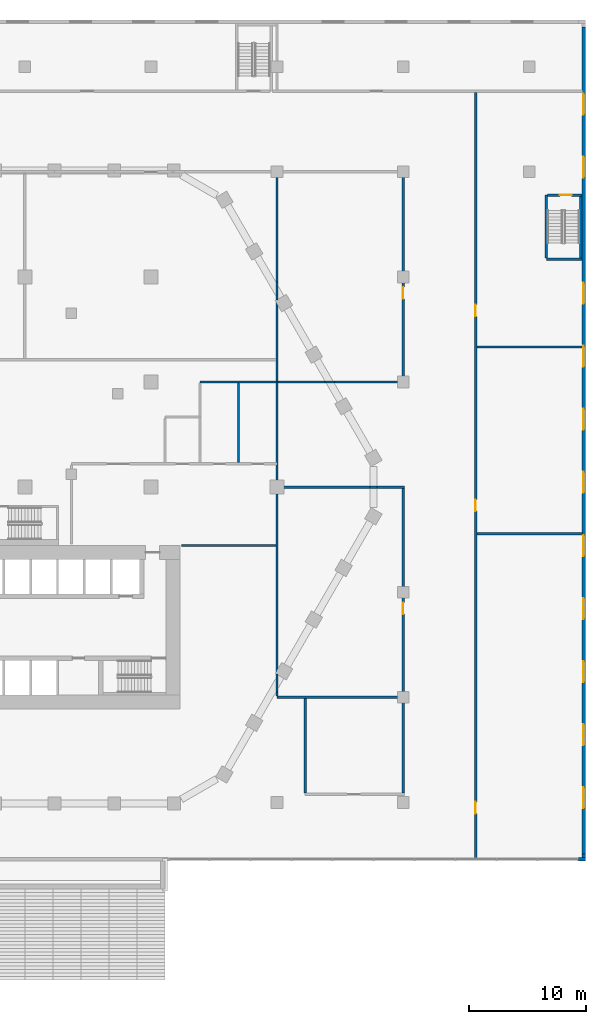
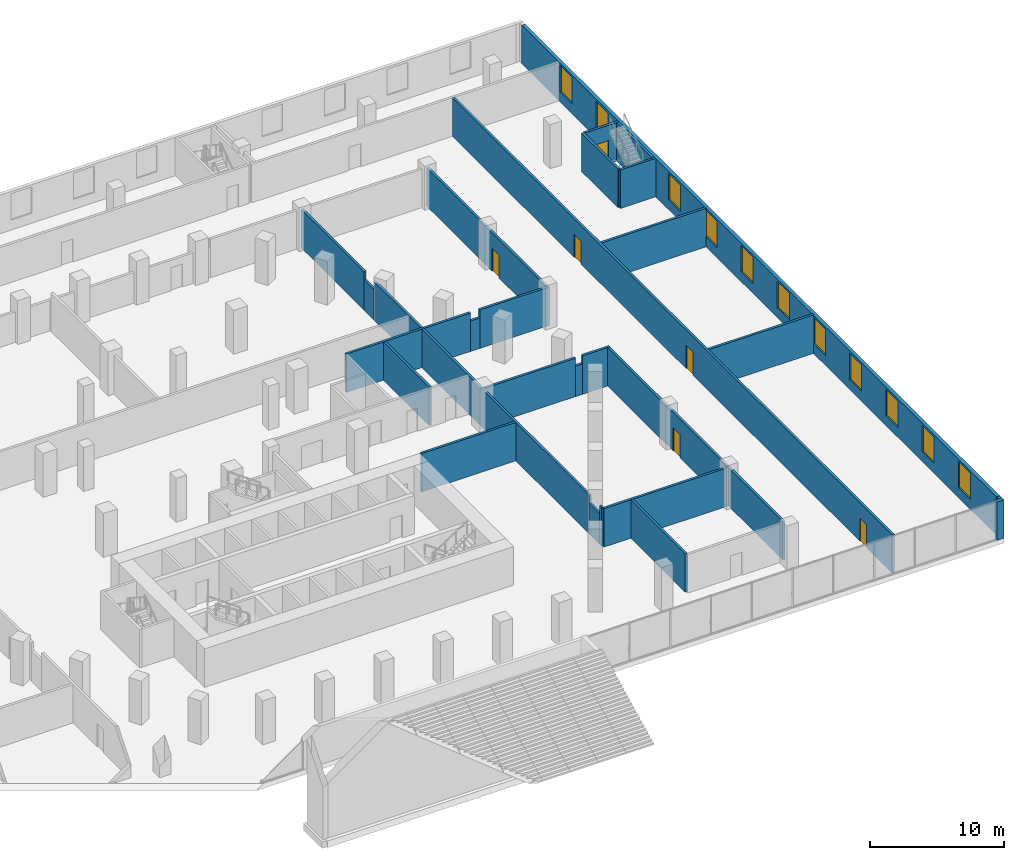
# One storey, part 17 of 45: 28 walls, 11 windows, 6 doors, 17 openings.
"""IFC4 building model written with IfcOpenShell, lengths in metres."""

from ifc_helpers import new_model, si_unit, direction, frame, frame_2d, origin, place, context, subcontext, project, spatial, rectangle, extrude, material, layer, layer_set, type_object, element, fill, save


model = new_model("IFC4")

# Units and contexts
model_context = context("Model", 3, precision=1e-05, world=origin(), true_north=direction((0.0, 1.0)))
body_context = subcontext(model_context, "Body", "Model", "MODEL_VIEW")
ifc_project = project(units=[si_unit("LENGTHUNIT", "METRE"), si_unit("AREAUNIT", "SQUARE_METRE"), si_unit("VOLUMEUNIT", "CUBIC_METRE"), si_unit("PLANEANGLEUNIT", "RADIAN"), si_unit("MASSUNIT", "GRAM", prefix="KILO")], contexts=[model_context])

# Site, building, storey
site_placement = place(None, origin())
site = spatial("IfcSite", under=ifc_project, at=site_placement, CompositionType="ELEMENT")
building_placement = place(site_placement, origin())
building = spatial("IfcBuilding", under=site, at=building_placement, Name="Beryl Residences", CompositionType="ELEMENT")
storey_placement = place(building_placement, frame((0.0, 0.0, 5.0)))
storey = spatial("IfcBuildingStorey", under=building, at=storey_placement, Name="L01", CompositionType="ELEMENT", Elevation=5.0)

# Walls
ifc_material_1 = material(Name="Composite metal panel with mineral wool insulation")
ifc_layer_1 = layer(ifc_material_1, 0.300048828125)
ifc_layer_set_1 = layer_set([ifc_layer_1], Name="ES1 pale metal composite panel wall 300 mm")
wall_type_1 = type_object("IfcWallType", Name="ES1 pale metal composite panel wall 300 mm", PredefinedType="SOLIDWALL", material=ifc_layer_set_1)
wall_1_placement = place(storey_placement, frame((47.39990234375, -31.85009765625, 0.0), z_axis=(0.0, 0.0, 1.0), x_axis=(1.0, 0.0, 0.0)))
element("IfcWall", 1, at=wall_1_placement, inside=storey, type_object=wall_type_1, Name="ES1 external wall L01 S 5", PredefinedType="SOLIDWALL", context=body_context, shape_type="SweptSolid", body=[
    extrude(rectangle(XDim=0.60009765625, YDim=0.300048828125, at=frame_2d((0.300048828125, 0.0))), origin(), (0.0, 0.0, 1.0), 3.5),
])
wall_2_placement = place(storey_placement, frame((47.85009765625, -31.699951171875, 0.0), z_axis=(0.0, 0.0, 1.0), x_axis=(0.0, 1.0, 0.0)))
element("IfcWall", 2, at=wall_2_placement, inside=storey, type_object=wall_type_1, Name="ES1 external wall L01 E 1", PredefinedType="SOLIDWALL", context=body_context, shape_type="SweptSolid", body=[
    extrude(rectangle(XDim=0.300048828125, YDim=0.300048828125, at=frame_2d((0.14990234375, 0.0))), origin(), (0.0, 0.0, 1.0), 3.5),
])

# Wall, openings, windows
wall_3_placement = place(storey_placement, frame((47.85009765625, -31.39990234375, 0.0), z_axis=(0.0, 0.0, 1.0), x_axis=(0.0, 1.0, 0.0)))
wall_3 = element("IfcWall", 3, at=wall_3_placement, inside=storey, type_object=wall_type_1, Name="ES1 external wall L01 E 2", PredefinedType="SOLIDWALL", context=body_context, shape_type="SweptSolid", body=[
    extrude(rectangle(XDim=70.7998046875, YDim=0.300048828125, at=frame_2d((35.39990234375, 0.0))), origin(), (0.0, 0.0, 1.0), 3.5),
])
opening_1_placement = place(wall_3_placement, frame((3.89990234375, 0.0, 0.89990234375)))
opening_1 = element("IfcOpeningElement", 4, at=opening_1_placement, cuts=wall_3, Name="Opening W4", PredefinedType="OPENING", context=body_context, shape_type="SweptSolid", body=[
    extrude(rectangle(XDim=1.800048828125, YDim=2.39990234375, at=frame_2d((0.89990234375, 1.199951171875))), frame((0.0, 0.159912109375, 0.0), z_axis=(0.0, -1.0, 0.0), x_axis=(1.0, 0.0, 0.0)), (0.0, 0.0, 1.0), 0.320068359375),
])
opening_2_placement = place(wall_3_placement, frame((9.300048828125, 0.0, 0.89990234375)))
opening_2 = element("IfcOpeningElement", 5, at=opening_2_placement, cuts=wall_3, Name="Opening W4", PredefinedType="OPENING", context=body_context, shape_type="SweptSolid", body=[
    extrude(rectangle(XDim=1.800048828125, YDim=2.39990234375, at=frame_2d((0.89990234375, 1.199951171875))), frame((0.0, 0.159912109375, 0.0), z_axis=(0.0, -1.0, 0.0), x_axis=(1.0, 0.0, 0.0)), (0.0, 0.0, 1.0), 0.320068359375),
])
opening_3_placement = place(wall_3_placement, frame((14.699951171875, 0.0, 0.89990234375)))
opening_3 = element("IfcOpeningElement", 6, at=opening_3_placement, cuts=wall_3, Name="Opening W4", PredefinedType="OPENING", context=body_context, shape_type="SweptSolid", body=[
    extrude(rectangle(XDim=1.800048828125, YDim=2.39990234375, at=frame_2d((0.89990234375, 1.199951171875))), frame((0.0, 0.159912109375, 0.0), z_axis=(0.0, -1.0, 0.0), x_axis=(1.0, 0.0, 0.0)), (0.0, 0.0, 1.0), 0.320068359375),
])
opening_4_placement = place(wall_3_placement, frame((20.10009765625, 0.0, 0.89990234375)))
opening_4 = element("IfcOpeningElement", 7, at=opening_4_placement, cuts=wall_3, Name="Opening W4", PredefinedType="OPENING", context=body_context, shape_type="SweptSolid", body=[
    extrude(rectangle(XDim=1.800048828125, YDim=2.39990234375, at=frame_2d((0.89990234375, 1.199951171875))), frame((0.0, 0.159912109375, 0.0), z_axis=(0.0, -1.0, 0.0), x_axis=(1.0, 0.0, 0.0)), (0.0, 0.0, 1.0), 0.320068359375),
])
opening_5_placement = place(wall_3_placement, frame((25.5, 0.0, 0.89990234375)))
opening_5 = element("IfcOpeningElement", 8, at=opening_5_placement, cuts=wall_3, Name="Opening W4", PredefinedType="OPENING", context=body_context, shape_type="SweptSolid", body=[
    extrude(rectangle(XDim=1.800048828125, YDim=2.39990234375, at=frame_2d((0.89990234375, 1.199951171875))), frame((0.0, 0.159912109375, 0.0), z_axis=(0.0, -1.0, 0.0), x_axis=(1.0, 0.0, 0.0)), (0.0, 0.0, 1.0), 0.320068359375),
])
opening_6_placement = place(wall_3_placement, frame((30.89990234375, 0.0, 0.89990234375)))
opening_6 = element("IfcOpeningElement", 9, at=opening_6_placement, cuts=wall_3, Name="Opening W4", PredefinedType="OPENING", context=body_context, shape_type="SweptSolid", body=[
    extrude(rectangle(XDim=1.800048828125, YDim=2.39990234375, at=frame_2d((0.89990234375, 1.199951171875))), frame((0.0, 0.159912109375, 0.0), z_axis=(0.0, -1.0, 0.0), x_axis=(1.0, 0.0, 0.0)), (0.0, 0.0, 1.0), 0.320068359375),
])
opening_7_placement = place(wall_3_placement, frame((36.300048828125, 0.0, 0.89990234375)))
opening_7 = element("IfcOpeningElement", 10, at=opening_7_placement, cuts=wall_3, Name="Opening W4", PredefinedType="OPENING", context=body_context, shape_type="SweptSolid", body=[
    extrude(rectangle(XDim=1.800048828125, YDim=2.39990234375, at=frame_2d((0.89990234375, 1.199951171875))), frame((0.0, 0.159912109375, 0.0), z_axis=(0.0, -1.0, 0.0), x_axis=(1.0, 0.0, 0.0)), (0.0, 0.0, 1.0), 0.320068359375),
])
opening_8_placement = place(wall_3_placement, frame((41.699951171875, 0.0, 0.89990234375)))
opening_8 = element("IfcOpeningElement", 11, at=opening_8_placement, cuts=wall_3, Name="Opening W4", PredefinedType="OPENING", context=body_context, shape_type="SweptSolid", body=[
    extrude(rectangle(XDim=1.800048828125, YDim=2.39990234375, at=frame_2d((0.89990234375, 1.199951171875))), frame((0.0, 0.159912109375, 0.0), z_axis=(0.0, -1.0, 0.0), x_axis=(1.0, 0.0, 0.0)), (0.0, 0.0, 1.0), 0.320068359375),
])
opening_9_placement = place(wall_3_placement, frame((47.10009765625, 0.0, 0.89990234375)))
opening_9 = element("IfcOpeningElement", 12, at=opening_9_placement, cuts=wall_3, Name="Opening W4", PredefinedType="OPENING", context=body_context, shape_type="SweptSolid", body=[
    extrude(rectangle(XDim=1.800048828125, YDim=2.39990234375, at=frame_2d((0.89990234375, 1.199951171875))), frame((0.0, 0.159912109375, 0.0), z_axis=(0.0, -1.0, 0.0), x_axis=(1.0, 0.0, 0.0)), (0.0, 0.0, 1.0), 0.320068359375),
])
opening_10_placement = place(wall_3_placement, frame((57.89990234375, 0.0, 0.89990234375)))
opening_10 = element("IfcOpeningElement", 13, at=opening_10_placement, cuts=wall_3, Name="Opening W4", PredefinedType="OPENING", context=body_context, shape_type="SweptSolid", body=[
    extrude(rectangle(XDim=1.800048828125, YDim=2.39990234375, at=frame_2d((0.89990234375, 1.199951171875))), frame((0.0, 0.159912109375, 0.0), z_axis=(0.0, -1.0, 0.0), x_axis=(1.0, 0.0, 0.0)), (0.0, 0.0, 1.0), 0.320068359375),
])
opening_11_placement = place(wall_3_placement, frame((63.300048828125, 0.0, 0.89990234375)))
opening_11 = element("IfcOpeningElement", 14, at=opening_11_placement, cuts=wall_3, Name="Opening W4", PredefinedType="OPENING", context=body_context, shape_type="SweptSolid", body=[
    extrude(rectangle(XDim=1.800048828125, YDim=2.39990234375, at=frame_2d((0.89990234375, 1.199951171875))), frame((0.0, 0.159912109375, 0.0), z_axis=(0.0, -1.0, 0.0), x_axis=(1.0, 0.0, 0.0)), (0.0, 0.0, 1.0), 0.320068359375),
])
ifc_material_2 = material(Name="Aluminium and clear glass", Category="aluminium")
window_type = type_object("IfcWindowType", Name="W4 podium window 1800 x 2400 mm", PartitioningType="SINGLE_PANEL", PredefinedType="WINDOW", material=ifc_material_2)
window_1_placement = place(opening_1_placement, origin())
window_1 = element("IfcWindow", 15, at=window_1_placement, inside=storey, type_object=window_type, Name="W4 window L01 E 1", OverallHeight=2.39990234375, OverallWidth=1.800048828125, PartitioningType="SINGLE_PANEL", PredefinedType="WINDOW", context=body_context, shape_type="SweptSolid", body=[
    extrude(rectangle(XDim=1.800048828125, YDim=2.39990234375, at=frame_2d((0.89990234375, 1.199951171875))), frame((0.0, 0.030029296875, 0.0), z_axis=(0.0, -1.0, 0.0), x_axis=(1.0, 0.0, 0.0)), (0.0, 0.0, 1.0), 0.06005859375),
])
fill(opening_1, window_1)
window_2_placement = place(opening_2_placement, origin())
window_2 = element("IfcWindow", 16, at=window_2_placement, inside=storey, type_object=window_type, Name="W4 window L01 E 2", OverallHeight=2.39990234375, OverallWidth=1.800048828125, PartitioningType="SINGLE_PANEL", PredefinedType="WINDOW", context=body_context, shape_type="SweptSolid", body=[
    extrude(rectangle(XDim=1.800048828125, YDim=2.39990234375, at=frame_2d((0.89990234375, 1.199951171875))), frame((0.0, 0.030029296875, 0.0), z_axis=(0.0, -1.0, 0.0), x_axis=(1.0, 0.0, 0.0)), (0.0, 0.0, 1.0), 0.06005859375),
])
fill(opening_2, window_2)
window_3_placement = place(opening_3_placement, origin())
window_3 = element("IfcWindow", 17, at=window_3_placement, inside=storey, type_object=window_type, Name="W4 window L01 E 3", OverallHeight=2.39990234375, OverallWidth=1.800048828125, PartitioningType="SINGLE_PANEL", PredefinedType="WINDOW", context=body_context, shape_type="SweptSolid", body=[
    extrude(rectangle(XDim=1.800048828125, YDim=2.39990234375, at=frame_2d((0.89990234375, 1.199951171875))), frame((0.0, 0.030029296875, 0.0), z_axis=(0.0, -1.0, 0.0), x_axis=(1.0, 0.0, 0.0)), (0.0, 0.0, 1.0), 0.06005859375),
])
fill(opening_3, window_3)
window_4_placement = place(opening_4_placement, origin())
window_4 = element("IfcWindow", 18, at=window_4_placement, inside=storey, type_object=window_type, Name="W4 window L01 E 4", OverallHeight=2.39990234375, OverallWidth=1.800048828125, PartitioningType="SINGLE_PANEL", PredefinedType="WINDOW", context=body_context, shape_type="SweptSolid", body=[
    extrude(rectangle(XDim=1.800048828125, YDim=2.39990234375, at=frame_2d((0.89990234375, 1.199951171875))), frame((0.0, 0.030029296875, 0.0), z_axis=(0.0, -1.0, 0.0), x_axis=(1.0, 0.0, 0.0)), (0.0, 0.0, 1.0), 0.06005859375),
])
fill(opening_4, window_4)
window_5_placement = place(opening_5_placement, origin())
window_5 = element("IfcWindow", 19, at=window_5_placement, inside=storey, type_object=window_type, Name="W4 window L01 E 5", OverallHeight=2.39990234375, OverallWidth=1.800048828125, PartitioningType="SINGLE_PANEL", PredefinedType="WINDOW", context=body_context, shape_type="SweptSolid", body=[
    extrude(rectangle(XDim=1.800048828125, YDim=2.39990234375, at=frame_2d((0.89990234375, 1.199951171875))), frame((0.0, 0.030029296875, 0.0), z_axis=(0.0, -1.0, 0.0), x_axis=(1.0, 0.0, 0.0)), (0.0, 0.0, 1.0), 0.06005859375),
])
fill(opening_5, window_5)
window_6_placement = place(opening_6_placement, origin())
window_6 = element("IfcWindow", 20, at=window_6_placement, inside=storey, type_object=window_type, Name="W4 window L01 E 6", OverallHeight=2.39990234375, OverallWidth=1.800048828125, PartitioningType="SINGLE_PANEL", PredefinedType="WINDOW", context=body_context, shape_type="SweptSolid", body=[
    extrude(rectangle(XDim=1.800048828125, YDim=2.39990234375, at=frame_2d((0.89990234375, 1.199951171875))), frame((0.0, 0.030029296875, 0.0), z_axis=(0.0, -1.0, 0.0), x_axis=(1.0, 0.0, 0.0)), (0.0, 0.0, 1.0), 0.06005859375),
])
fill(opening_6, window_6)
window_7_placement = place(opening_7_placement, origin())
window_7 = element("IfcWindow", 21, at=window_7_placement, inside=storey, type_object=window_type, Name="W4 window L01 E 7", OverallHeight=2.39990234375, OverallWidth=1.800048828125, PartitioningType="SINGLE_PANEL", PredefinedType="WINDOW", context=body_context, shape_type="SweptSolid", body=[
    extrude(rectangle(XDim=1.800048828125, YDim=2.39990234375, at=frame_2d((0.89990234375, 1.199951171875))), frame((0.0, 0.030029296875, 0.0), z_axis=(0.0, -1.0, 0.0), x_axis=(1.0, 0.0, 0.0)), (0.0, 0.0, 1.0), 0.06005859375),
])
fill(opening_7, window_7)
window_8_placement = place(opening_8_placement, origin())
window_8 = element("IfcWindow", 22, at=window_8_placement, inside=storey, type_object=window_type, Name="W4 window L01 E 8", OverallHeight=2.39990234375, OverallWidth=1.800048828125, PartitioningType="SINGLE_PANEL", PredefinedType="WINDOW", context=body_context, shape_type="SweptSolid", body=[
    extrude(rectangle(XDim=1.800048828125, YDim=2.39990234375, at=frame_2d((0.89990234375, 1.199951171875))), frame((0.0, 0.030029296875, 0.0), z_axis=(0.0, -1.0, 0.0), x_axis=(1.0, 0.0, 0.0)), (0.0, 0.0, 1.0), 0.06005859375),
])
fill(opening_8, window_8)
window_9_placement = place(opening_9_placement, origin())
window_9 = element("IfcWindow", 23, at=window_9_placement, inside=storey, type_object=window_type, Name="W4 window L01 E 9", OverallHeight=2.39990234375, OverallWidth=1.800048828125, PartitioningType="SINGLE_PANEL", PredefinedType="WINDOW", context=body_context, shape_type="SweptSolid", body=[
    extrude(rectangle(XDim=1.800048828125, YDim=2.39990234375, at=frame_2d((0.89990234375, 1.199951171875))), frame((0.0, 0.030029296875, 0.0), z_axis=(0.0, -1.0, 0.0), x_axis=(1.0, 0.0, 0.0)), (0.0, 0.0, 1.0), 0.06005859375),
])
fill(opening_9, window_9)
window_10_placement = place(opening_10_placement, origin())
window_10 = element("IfcWindow", 24, at=window_10_placement, inside=storey, type_object=window_type, Name="W4 window L01 E 10", OverallHeight=2.39990234375, OverallWidth=1.800048828125, PartitioningType="SINGLE_PANEL", PredefinedType="WINDOW", context=body_context, shape_type="SweptSolid", body=[
    extrude(rectangle(XDim=1.800048828125, YDim=2.39990234375, at=frame_2d((0.89990234375, 1.199951171875))), frame((0.0, 0.030029296875, 0.0), z_axis=(0.0, -1.0, 0.0), x_axis=(1.0, 0.0, 0.0)), (0.0, 0.0, 1.0), 0.06005859375),
])
fill(opening_10, window_10)
window_11_placement = place(opening_11_placement, origin())
window_11 = element("IfcWindow", 25, at=window_11_placement, inside=storey, type_object=window_type, Name="W4 window L01 E 11", OverallHeight=2.39990234375, OverallWidth=1.800048828125, PartitioningType="SINGLE_PANEL", PredefinedType="WINDOW", context=body_context, shape_type="SweptSolid", body=[
    extrude(rectangle(XDim=1.800048828125, YDim=2.39990234375, at=frame_2d((0.89990234375, 1.199951171875))), frame((0.0, 0.030029296875, 0.0), z_axis=(0.0, -1.0, 0.0), x_axis=(1.0, 0.0, 0.0)), (0.0, 0.0, 1.0), 0.06005859375),
])
fill(opening_11, window_11)

# Walls
ifc_material_3 = material(Name="Double stud gypsum board wall")
ifc_layer_2 = layer(ifc_material_3, 0.199951171875)
ifc_layer_set_2 = layer_set([ifc_layer_2], Name="PT10 tenancy wall 200 mm")
wall_type_2 = type_object("IfcWallType", Name="PT10 tenancy wall 200 mm", PredefinedType="PARTITIONING", material=ifc_layer_set_2)
wall_4_placement = place(storey_placement, frame((21.60009765625, -18.0, 0.0), z_axis=(0.0, 0.0, 1.0), x_axis=(1.0, 0.0, 0.0)))
element("IfcWall", 26, at=wall_4_placement, inside=storey, type_object=wall_type_2, Name="Wall PT10 L01 004", PredefinedType="PARTITIONING", context=body_context, shape_type="SweptSolid", body=[
    extrude(rectangle(XDim=10.7998046875, YDim=0.199951171875, at=frame_2d((5.39990234375, 0.0))), origin(), (0.0, 0.0, 1.0), 3.5),
])
wall_5_placement = place(storey_placement, frame((38.699951171875, -4.0, 0.0), z_axis=(0.0, 0.0, 1.0), x_axis=(1.0, 0.0, 0.0)))
element("IfcWall", 27, at=wall_5_placement, inside=storey, type_object=wall_type_2, Name="Wall PT10 L01 006", PredefinedType="PARTITIONING", context=body_context, shape_type="SweptSolid", body=[
    extrude(rectangle(XDim=9.050048828125, YDim=0.199951171875, at=frame_2d((4.52490234375, 0.0))), origin(), (0.0, 0.0, 1.0), 3.5),
])
wall_6_placement = place(storey_placement, frame((21.699951171875, 0.0, 0.0), z_axis=(0.0, 0.0, 1.0), x_axis=(1.0, 0.0, 0.0)))
element("IfcWall", 28, at=wall_6_placement, inside=storey, type_object=wall_type_2, Name="Wall PT10 L01 008", PredefinedType="PARTITIONING", context=body_context, shape_type="SweptSolid", body=[
    extrude(rectangle(XDim=7.84814453125, YDim=0.199951171875, at=frame_2d((3.924072265625, 0.0))), origin(), (0.0, 0.0, 1.0), 3.5),
])
wall_7_placement = place(storey_placement, frame((29.548095703125, 0.0, 0.0), z_axis=(0.0, 0.0, 1.0), x_axis=(1.0, 0.0, 0.0)))
element("IfcWall", 29, at=wall_7_placement, inside=storey, type_object=wall_type_2, Name="Wall PT10 L01 009", PredefinedType="PARTITIONING", context=body_context, shape_type="SweptSolid", body=[
    extrude(rectangle(XDim=0.600830078125, YDim=0.199951171875, at=frame_2d((0.30029296875, 0.0))), origin(), (0.0, 0.0, 1.0), 2.77001953125),
])
wall_8_placement = place(storey_placement, frame((30.14892578125, 0.0, 0.0), z_axis=(0.0, 0.0, 1.0), x_axis=(1.0, 0.0, 0.0)))
element("IfcWall", 30, at=wall_8_placement, inside=storey, type_object=wall_type_2, Name="Wall PT10 L01 010", PredefinedType="PARTITIONING", context=body_context, shape_type="SweptSolid", body=[
    extrude(rectangle(XDim=2.35107421875, YDim=0.199951171875, at=frame_2d((1.175537109375, 0.0))), origin(), (0.0, 0.0, 1.0), 3.5),
])
wall_9_placement = place(storey_placement, frame((38.699951171875, 12.0, 0.0), z_axis=(0.0, 0.0, 1.0), x_axis=(1.0, 0.0, 0.0)))
element("IfcWall", 31, at=wall_9_placement, inside=storey, type_object=wall_type_2, Name="Wall PT10 L01 016", PredefinedType="PARTITIONING", context=body_context, shape_type="SweptSolid", body=[
    extrude(rectangle(XDim=9.050048828125, YDim=0.199951171875, at=frame_2d((4.52490234375, 0.0))), origin(), (0.0, 0.0, 1.0), 3.5),
])
wall_10_placement = place(storey_placement, frame((24.0, -26.199951171875, 0.0), z_axis=(0.0, 0.0, 1.0), x_axis=(0.0, 1.0, 0.0)))
element("IfcWall", 32, at=wall_10_placement, inside=storey, type_object=wall_type_2, Name="Wall PT10 L01 046", PredefinedType="PARTITIONING", context=body_context, shape_type="SweptSolid", body=[
    extrude(rectangle(XDim=8.099853515625, YDim=0.199951171875, at=frame_2d((4.0498046875, 0.0))), origin(), (0.0, 0.0, 1.0), 3.5),
])

# Wall, opening, door
wall_11_placement = place(storey_placement, frame((32.39990234375, -26.199951171875, 0.0), z_axis=(0.0, 0.0, 1.0), x_axis=(0.0, 1.0, 0.0)))
wall_11 = element("IfcWall", 33, at=wall_11_placement, inside=storey, type_object=wall_type_2, Name="Wall PT10 L01 047", PredefinedType="PARTITIONING", context=body_context, shape_type="SweptSolid", body=[
    extrude(rectangle(XDim=26.099853515625, YDim=0.199951171875, at=frame_2d((13.0498046875, 0.0))), origin(), (0.0, 0.0, 1.0), 3.5),
])
opening_12_placement = place(wall_11_placement, frame((15.322998046875, 0.0, 0.0)))
opening_12 = element("IfcOpeningElement", 34, at=opening_12_placement, cuts=wall_11, Name="Opening L01-12", PredefinedType="OPENING", context=body_context, shape_type="SweptSolid", body=[
    extrude(rectangle(XDim=1.0, YDim=2.10009765625, at=frame_2d((0.5, 1.050048828125))), frame((0.0, 0.10986328125, 0.0), z_axis=(0.0, -1.0, 0.0), x_axis=(1.0, 0.0, 0.0)), (0.0, 0.0, 1.0), 0.219970703125),
])
ifc_material_4 = material(Name="Timber door leaf", Category="wood")
door_type_1 = type_object("IfcDoorType", Name="D9 corridor door 1000 x 2100 mm", OperationType="SINGLE_SWING_LEFT", PredefinedType="DOOR", material=ifc_material_4)
door_1_placement = place(opening_12_placement, origin())
door_1 = element("IfcDoor", 35, at=door_1_placement, inside=storey, type_object=door_type_1, Name="Door L01-12 L01 001", OperationType="SINGLE_SWING_RIGHT", OverallHeight=2.10009765625, OverallWidth=1.0, PredefinedType="DOOR", context=body_context, shape_type="SweptSolid", body=[
    extrude(rectangle(XDim=1.0, YDim=2.10009765625, at=frame_2d((0.5, 1.050048828125))), frame((0.0, 0.02490234375, 0.0), z_axis=(0.0, -1.0, 0.0), x_axis=(1.0, 0.0, 0.0)), (0.0, 0.0, 1.0), 0.050048828125),
])
fill(opening_12, door_1)

wall_12_placement = place(storey_placement, frame((32.39990234375, 9.10009765625, 0.0), z_axis=(0.0, 0.0, 1.0), x_axis=(0.0, 1.0, 0.0)))
wall_12 = element("IfcWall", 36, at=wall_12_placement, inside=storey, type_object=wall_type_2, Name="Wall PT10 L01 048", PredefinedType="PARTITIONING", context=body_context, shape_type="SweptSolid", body=[
    extrude(rectangle(XDim=17.7998046875, YDim=0.199951171875, at=frame_2d((8.89990234375, 0.0))), origin(), (0.0, 0.0, 1.0), 3.5),
])
opening_13_placement = place(wall_12_placement, frame((7.02490234375, 0.0, 0.0)))
opening_13 = element("IfcOpeningElement", 37, at=opening_13_placement, cuts=wall_12, Name="Opening L01-19", PredefinedType="OPENING", context=body_context, shape_type="SweptSolid", body=[
    extrude(rectangle(XDim=1.0, YDim=2.10009765625, at=frame_2d((0.5, 1.050048828125))), frame((0.0, 0.10986328125, 0.0), z_axis=(0.0, -1.0, 0.0), x_axis=(1.0, 0.0, 0.0)), (0.0, 0.0, 1.0), 0.219970703125),
])
door_2_placement = place(opening_13_placement, origin())
door_2 = element("IfcDoor", 38, at=door_2_placement, inside=storey, type_object=door_type_1, Name="Door L01-19 L01 001", OperationType="SINGLE_SWING_LEFT", OverallHeight=2.10009765625, OverallWidth=1.0, PredefinedType="DOOR", context=body_context, shape_type="SweptSolid", body=[
    extrude(rectangle(XDim=1.0, YDim=2.10009765625, at=frame_2d((0.5, 1.050048828125))), frame((0.0, 0.02490234375, 0.0), z_axis=(0.0, -1.0, 0.0), x_axis=(1.0, 0.0, 0.0)), (0.0, 0.0, 1.0), 0.050048828125),
])
fill(opening_13, door_2)

# Wall, openings, doors
wall_13_placement = place(storey_placement, frame((38.60009765625, -31.75, 0.0), z_axis=(0.0, 0.0, 1.0), x_axis=(0.0, 1.0, 0.0)))
wall_13 = element("IfcWall", 39, at=wall_13_placement, inside=storey, type_object=wall_type_2, Name="Wall PT10 L01 049", PredefinedType="PARTITIONING", context=body_context, shape_type="SweptSolid", body=[
    extrude(rectangle(XDim=65.550048828125, YDim=0.199951171875, at=frame_2d((32.77490234375, 0.0))), origin(), (0.0, 0.0, 1.0), 3.5),
])
opening_14_placement = place(wall_13_placement, frame((4.7939453125, 0.0, 0.0), z_axis=(0.0, 0.0, 1.0), x_axis=(-1.0, 0.0, 0.0)))
opening_14 = element("IfcOpeningElement", 40, at=opening_14_placement, cuts=wall_13, Name="Opening L01-13", PredefinedType="OPENING", context=body_context, shape_type="SweptSolid", body=[
    extrude(rectangle(XDim=1.0, YDim=2.10009765625, at=frame_2d((0.5, 1.050048828125))), frame((0.0, 0.10986328125, 0.0), z_axis=(0.0, -1.0, 0.0), x_axis=(1.0, 0.0, 0.0)), (0.0, 0.0, 1.0), 0.219970703125),
])
opening_15_placement = place(wall_13_placement, frame((30.68896484375, 0.0, 0.0), z_axis=(0.0, 0.0, 1.0), x_axis=(-1.0, 0.0, 0.0)))
opening_15 = element("IfcOpeningElement", 41, at=opening_15_placement, cuts=wall_13, Name="Opening L01-14", PredefinedType="OPENING", context=body_context, shape_type="SweptSolid", body=[
    extrude(rectangle(XDim=1.0, YDim=2.10009765625, at=frame_2d((0.5, 1.050048828125))), frame((0.0, 0.10986328125, 0.0), z_axis=(0.0, -1.0, 0.0), x_axis=(1.0, 0.0, 0.0)), (0.0, 0.0, 1.0), 0.219970703125),
])
opening_16_placement = place(wall_13_placement, frame((47.3759765625, 0.0, 0.0), z_axis=(0.0, 0.0, 1.0), x_axis=(-1.0, 0.0, 0.0)))
opening_16 = element("IfcOpeningElement", 42, at=opening_16_placement, cuts=wall_13, Name="Opening L01-15", PredefinedType="OPENING", context=body_context, shape_type="SweptSolid", body=[
    extrude(rectangle(XDim=1.0, YDim=2.10009765625, at=frame_2d((0.5, 1.050048828125))), frame((0.0, 0.10986328125, 0.0), z_axis=(0.0, -1.0, 0.0), x_axis=(1.0, 0.0, 0.0)), (0.0, 0.0, 1.0), 0.219970703125),
])
door_3_placement = place(opening_14_placement, origin())
door_3 = element("IfcDoor", 43, at=door_3_placement, inside=storey, type_object=door_type_1, Name="Door L01-13 L01 001", OperationType="SINGLE_SWING_RIGHT", OverallHeight=2.10009765625, OverallWidth=1.0, PredefinedType="DOOR", context=body_context, shape_type="SweptSolid", body=[
    extrude(rectangle(XDim=1.0, YDim=2.10009765625, at=frame_2d((0.5, 1.050048828125))), frame((0.0, 0.02490234375, 0.0), z_axis=(0.0, -1.0, 0.0), x_axis=(1.0, 0.0, 0.0)), (0.0, 0.0, 1.0), 0.050048828125),
])
fill(opening_14, door_3)
door_4_placement = place(opening_15_placement, origin())
door_4 = element("IfcDoor", 44, at=door_4_placement, inside=storey, type_object=door_type_1, Name="Door L01-14 L01 001", OperationType="SINGLE_SWING_LEFT", OverallHeight=2.10009765625, OverallWidth=1.0, PredefinedType="DOOR", context=body_context, shape_type="SweptSolid", body=[
    extrude(rectangle(XDim=1.0, YDim=2.10009765625, at=frame_2d((0.5, 1.050048828125))), frame((0.0, 0.02490234375, 0.0), z_axis=(0.0, -1.0, 0.0), x_axis=(1.0, 0.0, 0.0)), (0.0, 0.0, 1.0), 0.050048828125),
])
fill(opening_15, door_4)
door_5_placement = place(opening_16_placement, origin())
door_5 = element("IfcDoor", 45, at=door_5_placement, inside=storey, type_object=door_type_1, Name="Door L01-15 L01 001", OperationType="SINGLE_SWING_RIGHT", OverallHeight=2.10009765625, OverallWidth=1.0, PredefinedType="DOOR", context=body_context, shape_type="SweptSolid", body=[
    extrude(rectangle(XDim=1.0, YDim=2.10009765625, at=frame_2d((0.5, 1.050048828125))), frame((0.0, 0.02490234375, 0.0), z_axis=(0.0, -1.0, 0.0), x_axis=(1.0, 0.0, 0.0)), (0.0, 0.0, 1.0), 0.050048828125),
])
fill(opening_16, door_5)

# Walls
ifc_material_5 = material(Name="Cement board with tiles")
ifc_layer_3 = layer(ifc_material_5, 0.199951171875)
ifc_layer_set_3 = layer_set([ifc_layer_3], Name="PT11-200 wet area wall 200 mm")
wall_type_3 = type_object("IfcWallType", Name="PT11-200 wet area wall 200 mm", PredefinedType="PARTITIONING", material=ifc_layer_set_3)
wall_14_placement = place(storey_placement, frame((15.0, 9.0, 0.0), z_axis=(0.0, 0.0, 1.0), x_axis=(1.0, 0.0, 0.0)))
element("IfcWall", 46, at=wall_14_placement, inside=storey, type_object=wall_type_3, Name="Wall PT11-200 L01 002", PredefinedType="PARTITIONING", context=body_context, shape_type="SweptSolid", body=[
    extrude(rectangle(XDim=6.60009765625, YDim=0.199951171875, at=frame_2d((3.300048828125, 0.0))), origin(), (0.0, 0.0, 1.0), 3.5),
])
wall_15_placement = place(storey_placement, frame((21.699951171875, 9.0, 0.0), z_axis=(0.0, 0.0, 1.0), x_axis=(1.0, 0.0, 0.0)))
element("IfcWall", 47, at=wall_15_placement, inside=storey, type_object=wall_type_3, Name="Wall PT11-200 L01 003", PredefinedType="PARTITIONING", context=body_context, shape_type="SweptSolid", body=[
    extrude(rectangle(XDim=3.991943359375, YDim=0.199951171875, at=frame_2d((1.99609375, 0.0))), origin(), (0.0, 0.0, 1.0), 3.5),
])
wall_16_placement = place(storey_placement, frame((25.69189453125, 9.0, 0.0), z_axis=(0.0, 0.0, 1.0), x_axis=(1.0, 0.0, 0.0)))
element("IfcWall", 48, at=wall_16_placement, inside=storey, type_object=wall_type_3, Name="Wall PT11-200 L01 004", PredefinedType="PARTITIONING", context=body_context, shape_type="SweptSolid", body=[
    extrude(rectangle(XDim=0.80908203125, YDim=0.199951171875, at=frame_2d((0.404541015625, 0.0))), origin(), (0.0, 0.0, 1.0), 2.77001953125),
])
wall_17_placement = place(storey_placement, frame((26.5009765625, 9.0, 0.0), z_axis=(0.0, 0.0, 1.0), x_axis=(1.0, 0.0, 0.0)))
element("IfcWall", 49, at=wall_17_placement, inside=storey, type_object=wall_type_3, Name="Wall PT11-200 L01 005", PredefinedType="PARTITIONING", context=body_context, shape_type="SweptSolid", body=[
    extrude(rectangle(XDim=5.9990234375, YDim=0.199951171875, at=frame_2d((2.99951171875, 0.0))), origin(), (0.0, 0.0, 1.0), 3.5),
])
wall_18_placement = place(storey_placement, frame((18.300048828125, 2.10009765625, 0.0), z_axis=(0.0, 0.0, 1.0), x_axis=(0.0, 1.0, 0.0)))
element("IfcWall", 50, at=wall_18_placement, inside=storey, type_object=wall_type_3, Name="Wall PT11-200 L01 008", PredefinedType="PARTITIONING", context=body_context, shape_type="SweptSolid", body=[
    extrude(rectangle(XDim=6.7998046875, YDim=0.199951171875, at=frame_2d((3.39990234375, 0.0))), origin(), (0.0, 0.0, 1.0), 3.5),
])
ifc_material_6 = material(Name="Double stud gypsum board wall")
ifc_layer_4 = layer(ifc_material_6, 0.199951171875)
ifc_layer_set_4 = layer_set([ifc_layer_4], Name="PT4 corridor wall 200 mm double stud")
wall_type_4 = type_object("IfcWallType", Name="PT4 corridor wall 200 mm double stud", PredefinedType="PARTITIONING", material=ifc_layer_set_4)
wall_19_placement = place(storey_placement, frame((13.419921875, -5.0, 0.0), z_axis=(0.0, 0.0, 1.0), x_axis=(1.0, 0.0, 0.0)))
element("IfcWall", 51, at=wall_19_placement, inside=storey, type_object=wall_type_4, Name="Wall PT4 L01 002", PredefinedType="PARTITIONING", context=body_context, shape_type="SweptSolid", body=[
    extrude(rectangle(XDim=8.080078125, YDim=0.199951171875, at=frame_2d((4.0400390625, 0.0))), origin(), (0.0, 0.0, 1.0), 3.5),
])
wall_20_placement = place(storey_placement, frame((21.60009765625, -17.89990234375, 0.0), z_axis=(0.0, 0.0, 1.0), x_axis=(0.0, 1.0, 0.0)))
element("IfcWall", 52, at=wall_20_placement, inside=storey, type_object=wall_type_4, Name="Wall PT4 L01 009", PredefinedType="PARTITIONING", context=body_context, shape_type="SweptSolid", body=[
    extrude(rectangle(XDim=0.3388671875, YDim=0.199951171875, at=frame_2d((0.16943359375, 0.0))), origin(), (0.0, 0.0, 1.0), 3.5),
])
wall_21_placement = place(storey_placement, frame((21.60009765625, -17.56103515625, 0.0), z_axis=(0.0, 0.0, 1.0), x_axis=(0.0, 1.0, 0.0)))
element("IfcWall", 53, at=wall_21_placement, inside=storey, type_object=wall_type_4, Name="Wall PT4 L01 010", PredefinedType="PARTITIONING", context=body_context, shape_type="SweptSolid", body=[
    extrude(rectangle(XDim=1.546142578125, YDim=0.199951171875, at=frame_2d((0.77294921875, 0.0))), origin(), (0.0, 0.0, 1.0), 2.77001953125),
])
wall_22_placement = place(storey_placement, frame((21.60009765625, -16.014892578125, 0.0), z_axis=(0.0, 0.0, 1.0), x_axis=(0.0, 1.0, 0.0)))
element("IfcWall", 54, at=wall_22_placement, inside=storey, type_object=wall_type_4, Name="Wall PT4 L01 011", PredefinedType="PARTITIONING", context=body_context, shape_type="SweptSolid", body=[
    extrude(rectangle(XDim=32.02978515625, YDim=0.199951171875, at=frame_2d((16.014892578125, 0.0))), origin(), (0.0, 0.0, 1.0), 3.5),
])
wall_23_placement = place(storey_placement, frame((21.60009765625, 16.014892578125, 0.0), z_axis=(0.0, 0.0, 1.0), x_axis=(0.0, 1.0, 0.0)))
element("IfcWall", 55, at=wall_23_placement, inside=storey, type_object=wall_type_4, Name="Wall PT4 L01 012", PredefinedType="PARTITIONING", context=body_context, shape_type="SweptSolid", body=[
    extrude(rectangle(XDim=1.546142578125, YDim=0.199951171875, at=frame_2d((0.77294921875, 0.0))), origin(), (0.0, 0.0, 1.0), 2.77001953125),
])
wall_24_placement = place(storey_placement, frame((21.60009765625, 17.56103515625, 0.0), z_axis=(0.0, 0.0, 1.0), x_axis=(0.0, 1.0, 0.0)))
element("IfcWall", 56, at=wall_24_placement, inside=storey, type_object=wall_type_4, Name="Wall PT4 L01 013", PredefinedType="PARTITIONING", context=body_context, shape_type="SweptSolid", body=[
    extrude(rectangle(XDim=9.3388671875, YDim=0.199951171875, at=frame_2d((4.66943359375, 0.0))), origin(), (0.0, 0.0, 1.0), 3.5),
])
ifc_material_7 = material(Name="Concrete C40/50", Category="concrete")
ifc_layer_5 = layer(ifc_material_7, 0.199951171875)
ifc_layer_set_5 = layer_set([ifc_layer_5], Name="PT5 stair enclosure wall 200 mm reinforced concrete C40/50")
wall_type_5 = type_object("IfcWallType", Name="PT5 stair enclosure wall 200 mm reinforced concrete C40/50", PredefinedType="SOLIDWALL", material=ifc_layer_set_5)
wall_25_placement = place(storey_placement, frame((44.64990234375, 19.5, 0.0), z_axis=(0.0, 0.0, 1.0), x_axis=(1.0, 0.0, 0.0)))
element("IfcWall", 57, at=wall_25_placement, inside=storey, type_object=wall_type_5, Name="Wall PT5 L01 007", PredefinedType="SOLIDWALL", context=body_context, shape_type="SweptSolid", body=[
    extrude(rectangle(XDim=3.050048828125, YDim=0.199951171875, at=frame_2d((1.52490234375, 0.0))), origin(), (0.0, 0.0, 1.0), 3.5),
])

# Wall, opening, door
wall_26_placement = place(storey_placement, frame((44.75, 25.0, 0.0), z_axis=(0.0, 0.0, 1.0), x_axis=(1.0, 0.0, 0.0)))
wall_26 = element("IfcWall", 58, at=wall_26_placement, inside=storey, type_object=wall_type_5, Name="Wall PT5 L01 008", PredefinedType="SOLIDWALL", context=body_context, shape_type="SweptSolid", body=[
    extrude(rectangle(XDim=2.949951171875, YDim=0.199951171875, at=frame_2d((1.47509765625, 0.0))), origin(), (0.0, 0.0, 1.0), 3.5),
])
opening_17_placement = place(wall_26_placement, frame((2.074951171875, 0.0, 0.0), z_axis=(0.0, 0.0, 1.0), x_axis=(-1.0, 0.0, 0.0)))
opening_17 = element("IfcOpeningElement", 59, at=opening_17_placement, cuts=wall_26, Name="Opening L01-32", PredefinedType="OPENING", context=body_context, shape_type="SweptSolid", body=[
    extrude(rectangle(XDim=1.0, YDim=2.10009765625, at=frame_2d((0.5, 1.050048828125))), frame((0.0, 0.10986328125, 0.0), z_axis=(0.0, -1.0, 0.0), x_axis=(1.0, 0.0, 0.0)), (0.0, 0.0, 1.0), 0.219970703125),
])
ifc_material_8 = material(Name="Steel door leaf in steel frame", Category="steel")
door_type_2 = type_object("IfcDoorType", Name="D15 stair door 1000 x 2100 mm", OperationType="SINGLE_SWING_LEFT", PredefinedType="DOOR", material=ifc_material_8)
door_6_placement = place(opening_17_placement, origin())
door_6 = element("IfcDoor", 60, at=door_6_placement, inside=storey, type_object=door_type_2, Name="Door L01-32 L01 001", OperationType="SINGLE_SWING_LEFT", OverallHeight=2.10009765625, OverallWidth=1.0, PredefinedType="DOOR", context=body_context, shape_type="SweptSolid", body=[
    extrude(rectangle(XDim=1.0, YDim=2.10009765625, at=frame_2d((0.5, 1.050048828125))), frame((0.0, 0.02490234375, 0.0), z_axis=(0.0, -1.0, 0.0), x_axis=(1.0, 0.0, 0.0)), (0.0, 0.0, 1.0), 0.050048828125),
])
fill(opening_17, door_6)

# Walls
wall_27_placement = place(storey_placement, frame((44.64990234375, 19.60009765625, 0.0), z_axis=(0.0, 0.0, 1.0), x_axis=(0.0, 1.0, 0.0)))
element("IfcWall", 61, at=wall_27_placement, inside=storey, type_object=wall_type_5, Name="Wall PT5 L01 021", PredefinedType="SOLIDWALL", context=body_context, shape_type="SweptSolid", body=[
    extrude(rectangle(XDim=5.39990234375, YDim=0.199951171875, at=frame_2d((2.699951171875, 0.0))), origin(), (0.0, 0.0, 1.0), 3.5),
])
wall_28_placement = place(storey_placement, frame((47.60009765625, 19.60009765625, 0.0), z_axis=(0.0, 0.0, 1.0), x_axis=(0.0, 1.0, 0.0)))
element("IfcWall", 62, at=wall_28_placement, inside=storey, type_object=wall_type_5, Name="Wall PT5 L01 026", PredefinedType="SOLIDWALL", context=body_context, shape_type="SweptSolid", body=[
    extrude(rectangle(XDim=5.2998046875, YDim=0.199951171875, at=frame_2d((2.64990234375, 0.0))), origin(), (0.0, 0.0, 1.0), 3.5),
])

save(model, "model.ifc")
